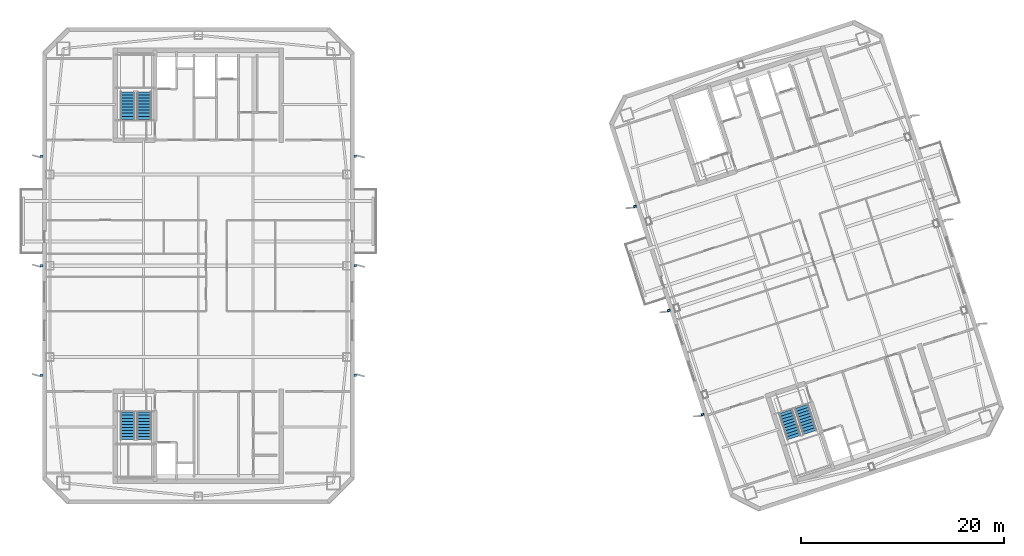
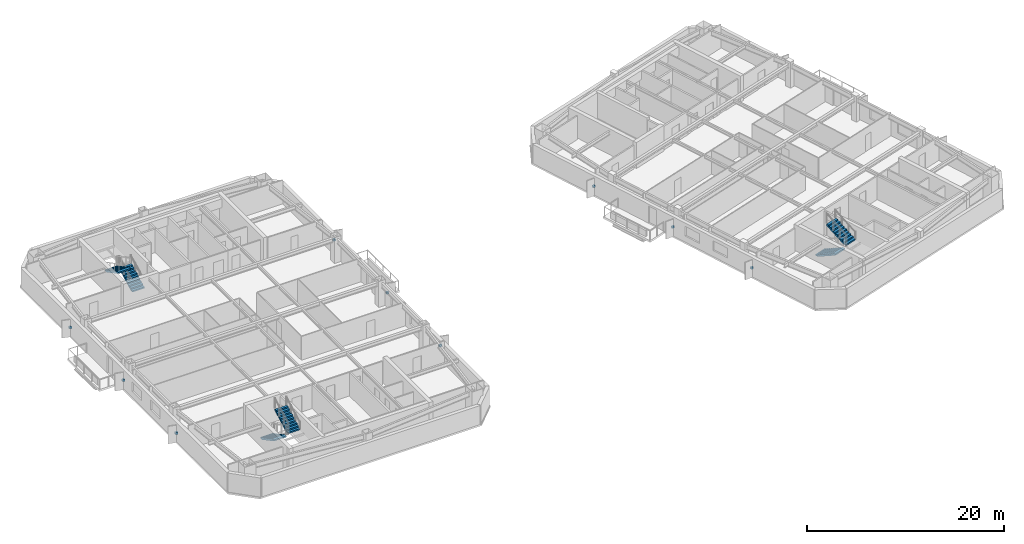
# One storey, part 11 of 17: 9 discrete accessories, 6 stair flights, 3 elements without a shape of their own.
"""IFC4 building model written with IfcOpenShell, lengths in metres."""

from ifc_helpers import new_model, si_unit, direction, frame, origin, origin_2d, place, context, subcontext, project, spatial, polyline, rectangle, outline, extrude, material, type_object, element, aggregate, save


model = new_model("IFC4")

# Units and contexts
model_context = context("Model", 3, precision=1e-05, world=origin(), true_north=direction((0.0, 1.0)))
body_context = subcontext(model_context, "Body", "Model", "MODEL_VIEW")
ifc_project = project(units=[si_unit("LENGTHUNIT", "METRE"), si_unit("AREAUNIT", "SQUARE_METRE"), si_unit("VOLUMEUNIT", "CUBIC_METRE"), si_unit("PLANEANGLEUNIT", "RADIAN"), si_unit("MASSUNIT", "GRAM", prefix="KILO")], contexts=[model_context])

# Site, building, storey
site_placement = place(None, origin())
site = spatial("IfcSite", under=ifc_project, at=site_placement, CompositionType="ELEMENT")
building_placement = place(site_placement, origin())
building = spatial("IfcBuilding", under=site, at=building_placement, Name="Qiaolan Cultural Towers", CompositionType="ELEMENT")
storey_placement = place(building_placement, frame((0.0, 0.0, 247.199951171875)))
storey = spatial("IfcBuildingStorey", under=building, at=storey_placement, Name="L67", CompositionType="ELEMENT", Elevation=247.199951171875)

# Stair, stair flights
ifc_material_1 = material(Name="Concrete C45", Category="concrete")
stair_type = type_object("IfcStairType", Name="STR-CORE-1500", PredefinedType="HALF_TURN_STAIR", material=ifc_material_1)
stair_1_placement = place(storey_placement, origin())
stair_1 = element("IfcStair", 1, at=stair_1_placement, inside=storey, type_object=stair_type, Name="L67 Smokeproof Exit Stair ST-W1", PredefinedType="HALF_TURN_STAIR")
ifc_material_2 = material(Name="Concrete C45", Category="concrete")
stair_flight_type = type_object("IfcStairFlightType", Name="STR-CORE-1500-FL", PredefinedType="STRAIGHT", material=ifc_material_2)
stair_flight_1_placement = place(storey_placement, frame((23.02001953125, 19.550048828125, 0.0), z_axis=(0.0, 0.0, 1.0), x_axis=(0.0, -1.0, 0.0)))
stair_flight_1 = element("IfcStairFlight", 2, at=stair_flight_1_placement, type_object=stair_flight_type, Name="ST-W1 flight 1", NumberOfRisers=10, NumberOfTreads=9, PredefinedType="STRAIGHT", RiserHeight=0.16, TreadLength=0.3, context=body_context, shape_type="SweptSolid", body=[
    extrude(outline(polyline([(0.0, 0.0), (0.0, 0.159912109375), (0.300048828125, 0.159912109375), (0.300048828125, 0.320068359375), (0.60009765625, 0.320068359375), (0.60009765625, 0.47998046875), (0.89990234375, 0.47998046875), (0.89990234375, 0.639892578125), (1.199951171875, 0.639892578125), (1.199951171875, 0.800048828125), (1.5, 0.800048828125), (1.5, 0.9599609375), (1.800048828125, 0.9599609375), (1.800048828125, 1.1201171875), (2.10009765625, 1.1201171875), (2.10009765625, 1.280029296875), (2.39990234375, 1.280029296875), (2.39990234375, 1.43994140625), (2.699951171875, 1.43994140625), (2.699951171875, 1.60009765625), (2.699951171875, 1.27001953125), (0.318603515625, 0.0), (0.0, 0.0)])), frame((0.0, 0.719970703125, 0.0), z_axis=(0.0, -1.0, 0.0), x_axis=(1.0, 0.0, 0.0)), (0.0, 0.0, 1.0), 1.43994140625),
])
stair_flight_2_placement = place(storey_placement, frame((24.659912109375, 16.85009765625, 1.60009765625), z_axis=(0.0, 0.0, 1.0), x_axis=(0.0, 1.0, 0.0)))
stair_flight_2 = element("IfcStairFlight", 3, at=stair_flight_2_placement, type_object=stair_flight_type, Name="ST-W1 flight 2", NumberOfRisers=10, NumberOfTreads=9, PredefinedType="STRAIGHT", RiserHeight=0.16, TreadLength=0.3, context=body_context, shape_type="SweptSolid", body=[
    extrude(outline(polyline([(0.0, 0.0), (0.0, 0.159912109375), (0.300048828125, 0.159912109375), (0.300048828125, 0.320068359375), (0.60009765625, 0.320068359375), (0.60009765625, 0.47998046875), (0.89990234375, 0.47998046875), (0.89990234375, 0.639892578125), (1.199951171875, 0.639892578125), (1.199951171875, 0.800048828125), (1.5, 0.800048828125), (1.5, 0.9599609375), (1.800048828125, 0.9599609375), (1.800048828125, 1.1201171875), (2.10009765625, 1.1201171875), (2.10009765625, 1.280029296875), (2.39990234375, 1.280029296875), (2.39990234375, 1.43994140625), (2.699951171875, 1.43994140625), (2.699951171875, 1.60009765625), (2.699951171875, 1.27001953125), (0.318603515625, 0.0), (0.0, 0.0)])), frame((0.0, 0.719970703125, 0.0), z_axis=(0.0, -1.0, 0.0), x_axis=(1.0, 0.0, 0.0)), (0.0, 0.0, 1.0), 1.43994140625),
])
aggregate(stair_1, [stair_flight_1, stair_flight_2])

stair_2_placement = place(storey_placement, origin())
stair_2 = element("IfcStair", 4, at=stair_2_placement, inside=storey, type_object=stair_type, Name="L67 Smokeproof Exit Stair ST-W2", PredefinedType="HALF_TURN_STAIR")
stair_flight_3_placement = place(storey_placement, frame((24.659912109375, 48.449951171875, 0.0), z_axis=(0.0, 0.0, 1.0), x_axis=(0.0, 1.0, 0.0)))
stair_flight_3 = element("IfcStairFlight", 5, at=stair_flight_3_placement, type_object=stair_flight_type, Name="ST-W2 flight 1", NumberOfRisers=10, NumberOfTreads=9, PredefinedType="STRAIGHT", RiserHeight=0.16, TreadLength=0.3, context=body_context, shape_type="SweptSolid", body=[
    extrude(outline(polyline([(0.0, 0.0), (0.0, 0.159912109375), (0.300048828125, 0.159912109375), (0.300048828125, 0.320068359375), (0.60009765625, 0.320068359375), (0.60009765625, 0.47998046875), (0.89990234375, 0.47998046875), (0.89990234375, 0.639892578125), (1.199951171875, 0.639892578125), (1.199951171875, 0.800048828125), (1.5, 0.800048828125), (1.5, 0.9599609375), (1.800048828125, 0.9599609375), (1.800048828125, 1.1201171875), (2.10009765625, 1.1201171875), (2.10009765625, 1.280029296875), (2.39990234375, 1.280029296875), (2.39990234375, 1.43994140625), (2.699951171875, 1.43994140625), (2.699951171875, 1.60009765625), (2.699951171875, 1.27001953125), (0.318603515625, 0.0), (0.0, 0.0)])), frame((0.0, 0.719970703125, 0.0), z_axis=(0.0, -1.0, 0.0), x_axis=(1.0, 0.0, 0.0)), (0.0, 0.0, 1.0), 1.43994140625),
])
stair_flight_4_placement = place(storey_placement, frame((23.02001953125, 51.14990234375, 1.60009765625), z_axis=(0.0, 0.0, 1.0), x_axis=(0.0, -1.0, 0.0)))
stair_flight_4 = element("IfcStairFlight", 6, at=stair_flight_4_placement, type_object=stair_flight_type, Name="ST-W2 flight 2", NumberOfRisers=10, NumberOfTreads=9, PredefinedType="STRAIGHT", RiserHeight=0.16, TreadLength=0.3, context=body_context, shape_type="SweptSolid", body=[
    extrude(outline(polyline([(0.0, 0.0), (0.0, 0.159912109375), (0.300048828125, 0.159912109375), (0.300048828125, 0.320068359375), (0.60009765625, 0.320068359375), (0.60009765625, 0.47998046875), (0.89990234375, 0.47998046875), (0.89990234375, 0.639892578125), (1.199951171875, 0.639892578125), (1.199951171875, 0.800048828125), (1.5, 0.800048828125), (1.5, 0.9599609375), (1.800048828125, 0.9599609375), (1.800048828125, 1.1201171875), (2.10009765625, 1.1201171875), (2.10009765625, 1.280029296875), (2.39990234375, 1.280029296875), (2.39990234375, 1.43994140625), (2.699951171875, 1.43994140625), (2.699951171875, 1.60009765625), (2.699951171875, 1.27001953125), (0.318603515625, 0.0), (0.0, 0.0)])), frame((0.0, 0.719970703125, 0.0), z_axis=(0.0, -1.0, 0.0), x_axis=(1.0, 0.0, 0.0)), (0.0, 0.0, 1.0), 1.43994140625),
])
aggregate(stair_2, [stair_flight_3, stair_flight_4])

stair_3_placement = place(storey_placement, origin())
stair_3 = element("IfcStair", 7, at=stair_3_placement, inside=storey, type_object=stair_type, Name="L67 Smokeproof Exit Stair ST-E1", PredefinedType="HALF_TURN_STAIR")
stair_flight_5_placement = place(storey_placement, frame((87.96484375, 19.6171875, 0.0), z_axis=(0.0, 0.0, 1.0), x_axis=(0.309016994375, -0.951056516295, 0.0)))
stair_flight_5 = element("IfcStairFlight", 8, at=stair_flight_5_placement, type_object=stair_flight_type, Name="ST-E1 flight 1", NumberOfRisers=10, NumberOfTreads=9, PredefinedType="STRAIGHT", RiserHeight=0.16, TreadLength=0.3, context=body_context, shape_type="SweptSolid", body=[
    extrude(outline(polyline([(0.0, 0.0), (0.0, 0.159912109375), (0.300048828125, 0.159912109375), (0.300048828125, 0.320068359375), (0.60009765625, 0.320068359375), (0.60009765625, 0.47998046875), (0.89990234375, 0.47998046875), (0.89990234375, 0.639892578125), (1.199951171875, 0.639892578125), (1.199951171875, 0.800048828125), (1.5, 0.800048828125), (1.5, 0.9599609375), (1.800048828125, 0.9599609375), (1.800048828125, 1.1201171875), (2.10009765625, 1.1201171875), (2.10009765625, 1.280029296875), (2.39990234375, 1.280029296875), (2.39990234375, 1.43994140625), (2.699951171875, 1.43994140625), (2.699951171875, 1.60009765625), (2.699951171875, 1.27001953125), (0.318603515625, 0.0), (0.0, 0.0)])), frame((0.0, 0.719970703125, 0.0), z_axis=(0.0, -1.0, 0.0), x_axis=(1.0, 0.0, 0.0)), (0.0, 0.0, 1.0), 1.43994140625),
])
stair_flight_6_placement = place(storey_placement, frame((90.359130859375, 17.55615234375, 1.60009765625), z_axis=(0.0, 0.0, 1.0), x_axis=(-0.309016994375, 0.951056516295, 0.0)))
stair_flight_6 = element("IfcStairFlight", 9, at=stair_flight_6_placement, type_object=stair_flight_type, Name="ST-E1 flight 2", NumberOfRisers=10, NumberOfTreads=9, PredefinedType="STRAIGHT", RiserHeight=0.16, TreadLength=0.3, context=body_context, shape_type="SweptSolid", body=[
    extrude(outline(polyline([(0.0, 0.0), (0.0, 0.159912109375), (0.300048828125, 0.159912109375), (0.300048828125, 0.320068359375), (0.60009765625, 0.320068359375), (0.60009765625, 0.47998046875), (0.89990234375, 0.47998046875), (0.89990234375, 0.639892578125), (1.199951171875, 0.639892578125), (1.199951171875, 0.800048828125), (1.5, 0.800048828125), (1.5, 0.9599609375), (1.800048828125, 0.9599609375), (1.800048828125, 1.1201171875), (2.10009765625, 1.1201171875), (2.10009765625, 1.280029296875), (2.39990234375, 1.280029296875), (2.39990234375, 1.43994140625), (2.699951171875, 1.43994140625), (2.699951171875, 1.60009765625), (2.699951171875, 1.27001953125), (0.318603515625, 0.0), (0.0, 0.0)])), frame((0.0, 0.719970703125, 0.0), z_axis=(0.0, -1.0, 0.0), x_axis=(1.0, 0.0, 0.0)), (0.0, 0.0, 1.0), 1.43994140625),
])
aggregate(stair_3, [stair_flight_5, stair_flight_6])

# Discrete accessories
ifc_material_3 = material(Name="Stainless Steel S31608 Facade Anchor Bracket", Category="steel")
discrete_accessory_type = type_object("IfcDiscreteAccessoryType", Name="ACC-BRK-SS", PredefinedType="BRACKET", material=ifc_material_3)
for number, where, z_axis, x_axis, name in (
    (10, (14.52001953125, 23.199951171875, 1.06005859375), (0.0, 0.0, 1.0), (1.0, 0.0, 0.0), "L67 T1 Facade Fin Anchor Bracket W1"),
    (11, (14.52001953125, 34.0, 1.06005859375), (0.0, 0.0, 1.0), (1.0, 0.0, 0.0), "L67 T1 Facade Fin Anchor Bracket W2"),
    (12, (14.52001953125, 44.800048828125, 1.06005859375), (0.0, 0.0, 1.0), (1.0, 0.0, 0.0), "L67 T1 Facade Fin Anchor Bracket W3"),
    (13, (45.47998046875, 23.199951171875, 1.06005859375), (0.0, 0.0, 1.0), (1.0, 0.0, 0.0), "L67 T1 Facade Fin Anchor Bracket E1"),
    (14, (45.47998046875, 34.0, 1.06005859375), (0.0, 0.0, 1.0), (1.0, 0.0, 0.0), "L67 T1 Facade Fin Anchor Bracket E2"),
    (15, (45.47998046875, 44.800048828125, 1.06005859375), (0.0, 0.0, 1.0), (1.0, 0.0, 0.0), "L67 T1 Facade Fin Anchor Bracket E3"),
    (16, (79.75634765625, 19.31591796875, 1.06005859375), (0.0, 0.0, 1.0), (0.951056516295, 0.309016994375, 0.0), "L67 T2 Facade Fin Anchor Bracket W1"),
    (17, (76.4189453125, 29.587158203125, 1.06005859375), (0.0, 0.0, 1.0), (0.951056516295, 0.309016994375, 0.0), "L67 T2 Facade Fin Anchor Bracket W2"),
    (18, (73.08154296875, 39.858642578125, 1.06005859375), (0.0, 0.0, 1.0), (0.951056516295, 0.309016994375, 0.0), "L67 T2 Facade Fin Anchor Bracket W3"),
):
    element("IfcDiscreteAccessory", number, at=place(storey_placement, frame(where, z_axis=z_axis, x_axis=x_axis)), inside=storey, type_object=discrete_accessory_type, Name=name, PredefinedType="BRACKET", context=body_context, shape_type="SweptSolid", body=[
        extrude(rectangle(XDim=0.280029296875, YDim=0.219970703125, at=origin_2d()), origin(), (0.0, 0.0, 1.0), 0.239990234375),
    ])

save(model, "model.ifc")
